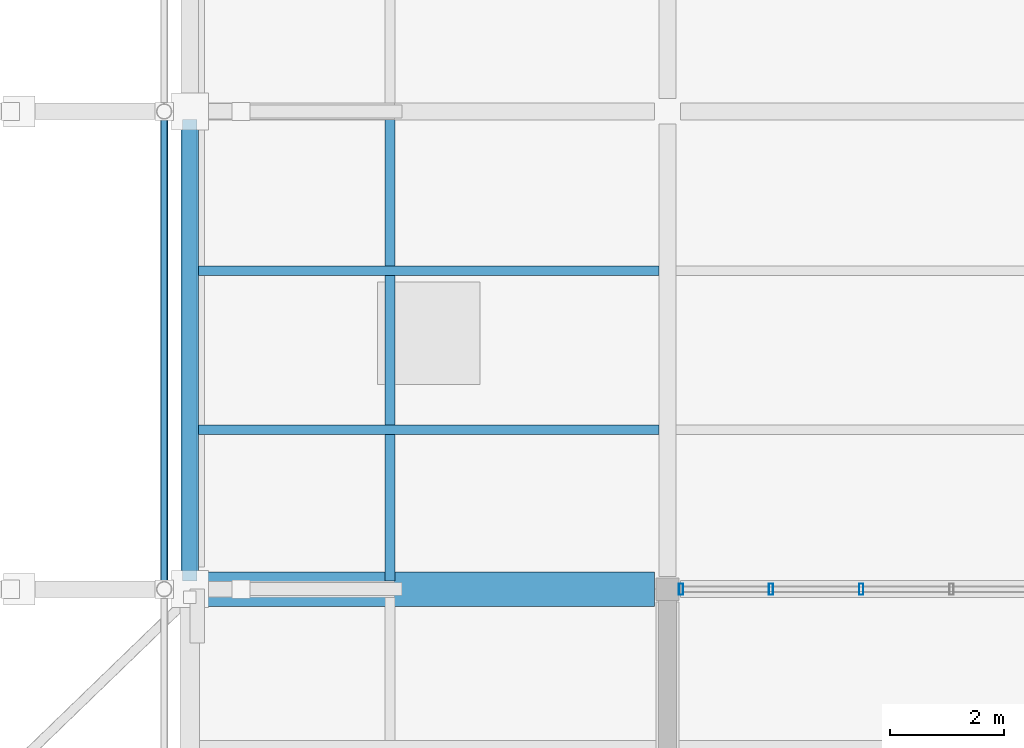
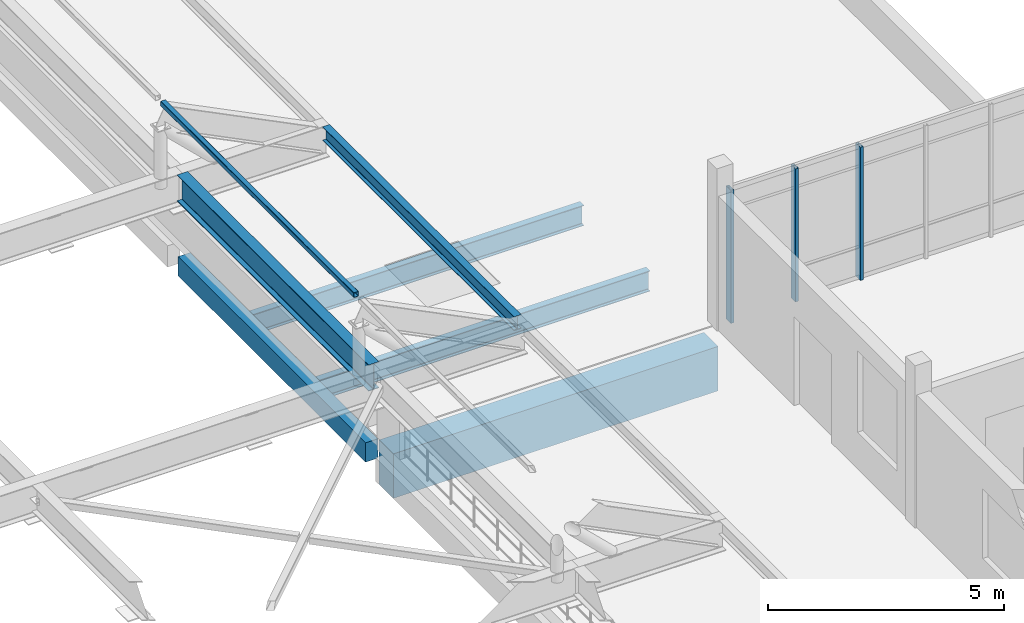
# One storey, part 18 of 41: 6 beams, 4 members, 1 element without a shape of its own.
"""IFC4 building model written with IfcOpenShell, lengths in metres."""

import ifcopenshell
import ifcopenshell.guid

model = None  # the IFC model being written
_history = None  # IfcOwnerHistory: only IFC2X3 demands one
_inside = {}  # id of a spatial element -> (the spatial element, [elements in it])
_under = {}  # id of a project, library or spatial element -> (it, [spatial elements below it])
_declared = {}  # id of a project -> (the project, [libraries it declares])
_typed = {}  # id of a type object -> (the type object, [elements of that type])
_made_of = {}  # id of a material, layer set ... -> (it, [elements and type objects made of it])


def new_model(schema):
    """Start an empty IFC model of exactly this schema.

    Asked for "IFC4X3", IfcOpenShell would pick the latest addendum, in which some entities
    have other attributes; the version numbers below select the first issue.
    IFC2X3 requires an IfcOwnerHistory on every rooted entity: one is made here for all.
    """
    global model, _history
    if schema == "IFC4X3":
        model = ifcopenshell.file(schema_version=(4, 3, 0, 0))
    else:
        model = ifcopenshell.file(schema=schema)
    _inside.clear()
    _under.clear()
    _declared.clear()
    _typed.clear()
    _made_of.clear()
    _history = None
    if model.schema == "IFC2X3":
        org = make("IfcOrganization", Name="unknown")
        user = make(
            "IfcPersonAndOrganization",
            ThePerson=make("IfcPerson", FamilyName="unknown"),
            TheOrganization=org,
        )
        app = make(
            "IfcApplication",
            ApplicationDeveloper=org,
            Version="unknown",
            ApplicationFullName="unknown",
            ApplicationIdentifier="unknown",
        )
        _history = make(
            "IfcOwnerHistory",
            OwningUser=user,
            OwningApplication=app,
            ChangeAction="ADDED",
            CreationDate=0,
        )
    return model


def make(cls, **values):
    """One entity of the class cls with the attributes given. An attribute that is None is left unset."""
    return model.create_entity(
        cls, **{name: value for name, value in values.items() if value is not None}
    )


def rooted(cls, **values):
    """An entity with a GlobalId (a new one), such as an element, a storey or a relation."""
    return make(cls, GlobalId=ifcopenshell.guid.new(), OwnerHistory=_history, **values)


def si_unit(unit_type, name, prefix=None):
    """IfcSIUnit, for example si_unit("LENGTHUNIT", "METRE", prefix="MILLI")."""
    return make("IfcSIUnit", UnitType=unit_type, Prefix=prefix, Name=name)


def assignment(units):
    """IfcUnitAssignment: the units of a project."""
    return None if units is None else make("IfcUnitAssignment", Units=units)


def point(xyz):
    """IfcCartesianPoint."""
    return None if xyz is None else make("IfcCartesianPoint", Coordinates=xyz)


def direction(xyz):
    """IfcDirection."""
    return None if xyz is None else make("IfcDirection", DirectionRatios=xyz)


def frame(location, z_axis=None, x_axis=None):
    """IfcAxis2Placement3D, a coordinate frame: its origin and axes. An axis left out is left unset."""
    return make(
        "IfcAxis2Placement3D",
        Location=point(location),
        Axis=direction(z_axis),
        RefDirection=direction(x_axis),
    )


def frame_2d(location, x_axis=None):
    """IfcAxis2Placement2D, a coordinate frame in the plane: its origin and x axis."""
    return make(
        "IfcAxis2Placement2D", Location=point(location), RefDirection=direction(x_axis)
    )


def origin():
    """The frame at (0, 0, 0) with its axes left unset."""
    return frame((0.0, 0.0, 0.0))


def origin_2d():
    """The frame at (0, 0) in the plane with its x axis left unset."""
    return frame_2d((0.0, 0.0))


def place(relative_to, where):
    """IfcLocalPlacement: puts the frame where relative to a parent placement (None: the world)."""
    return make(
        "IfcLocalPlacement", PlacementRelTo=relative_to, RelativePlacement=where
    )


def context(
    kind, dimensions, precision=None, world=None, true_north=None, identifier=None
):
    """IfcGeometricRepresentationContext, for example the 3D "Model" context."""
    return make(
        "IfcGeometricRepresentationContext",
        ContextIdentifier=identifier,
        ContextType=kind,
        CoordinateSpaceDimension=dimensions,
        Precision=precision,
        WorldCoordinateSystem=world,
        TrueNorth=true_north,
    )


def subcontext(parent, identifier, kind, view, scale=None):
    """IfcGeometricRepresentationSubContext, for example "Body" below "Model"."""
    return make(
        "IfcGeometricRepresentationSubContext",
        ContextIdentifier=identifier,
        ContextType=kind,
        ParentContext=parent,
        TargetScale=scale,
        TargetView=view,
    )


def project(units=None, contexts=None):
    """IfcProject with its units and contexts."""
    return rooted(
        "IfcProject",
        Name="project",
        RepresentationContexts=contexts,
        UnitsInContext=assignment(units),
    )


def spatial(cls, under=None, at=None, **own):
    """A site, building, storey or space (cls), placed at a placement, below another one or the project."""
    s = rooted(cls, ObjectPlacement=at, **own)
    if under is not None:
        _under.setdefault(under.id(), (under, []))[1].append(s)
    return s


def profile(cls, at=None, kind="AREA", **sizes):
    """A parametric profile (cls). Its sizes go by their IFC names, for example OverallWidth=200.0."""
    return make(cls, ProfileType=kind, Position=at, **sizes)


def rectangle(**sizes):
    """IfcRectangleProfileDef."""
    return profile("IfcRectangleProfileDef", **sizes)


def hollow_rectangle(**sizes):
    """IfcRectangleHollowProfileDef."""
    return profile("IfcRectangleHollowProfileDef", **sizes)


def i_section(**sizes):
    """IfcIShapeProfileDef."""
    return profile("IfcIShapeProfileDef", **sizes)


def extrude(swept, where, along, depth):
    """IfcExtrudedAreaSolid: the profile swept, set in the frame where, extruded along a direction by depth."""
    return make(
        "IfcExtrudedAreaSolid",
        SweptArea=swept,
        Position=where,
        ExtrudedDirection=direction(along),
        Depth=depth,
    )


def shape(context_of_items, identifier, shape_type, items):
    """IfcShapeRepresentation: the items that make up one representation, for example the "Body"."""
    return make(
        "IfcShapeRepresentation",
        ContextOfItems=context_of_items,
        RepresentationIdentifier=identifier,
        RepresentationType=shape_type,
        Items=items,
    )


def material(Name=None, Category=None):
    """IfcMaterial."""
    return make("IfcMaterial", Name=Name, Category=Category)


def layer(
    of_material, thickness, ventilated=None, Name=None, Category=None, Priority=None
):
    """IfcMaterialLayer: one layer of a wall or slab, of a material (None: an air gap)."""
    return make(
        "IfcMaterialLayer",
        Material=of_material,
        LayerThickness=thickness,
        IsVentilated=ventilated,
        Name=Name,
        Category=Category,
        Priority=Priority,
    )


def layer_set(layers, Name=None):
    """IfcMaterialLayerSet."""
    return make("IfcMaterialLayerSet", MaterialLayers=layers, LayerSetName=Name)


def material_profile(
    of_material, cross_section, Name=None, Category=None, Priority=None
):
    """IfcMaterialProfile: a cross section and its material."""
    return make(
        "IfcMaterialProfile",
        Name=Name,
        Material=of_material,
        Profile=cross_section,
        Priority=Priority,
        Category=Category,
    )


def profile_set(profiles, Name=None, composite=None):
    """IfcMaterialProfileSet."""
    return make(
        "IfcMaterialProfileSet",
        Name=Name,
        MaterialProfiles=profiles,
        CompositeProfile=composite,
    )


def made_of(thing, what):
    """Note that an element or type object is made of a material, layer set ...; save() writes the relation."""
    if what is not None:
        _made_of.setdefault(what.id(), (what, []))[1].append(thing)
    return thing


def type_object(cls, material=None, **own):
    """A type object (cls), such as IfcWallType, which elements share."""
    return made_of(rooted(cls, **own), material)


def element(
    cls,
    number,
    at=None,
    inside=None,
    cuts=None,
    type_object=None,
    material=None,
    context=None,
    identifier="Body",
    shape_type=None,
    held_by="IfcProductDefinitionShape",
    body=None,
    shapes=None,
    **own,
):
    """One element of the class cls, such as IfcWall. Its Tag is "e" and its number.

    at: its placement. inside: the storey or other place that contains it. cuts: it is an
    opening in that element (IfcRelVoidsElement). A single representation is given by context,
    identifier, shape_type and body (its items); several are given by shapes. held_by: the class
    of the entity that holds the representations. save() writes the other relations.
    """
    e = rooted(cls, Tag="e%d" % number, ObjectPlacement=at, **own)
    if body is not None:
        shapes = [shape(context, identifier, shape_type, body)]
    if shapes is not None:
        e.Representation = make(held_by, Representations=shapes)
    if inside is not None:
        _inside.setdefault(inside.id(), (inside, []))[1].append(e)
    if cuts is not None:
        rooted(
            "IfcRelVoidsElement", RelatingBuildingElement=cuts, RelatedOpeningElement=e
        )
    if type_object is not None:
        _typed.setdefault(type_object.id(), (type_object, []))[1].append(e)
    return made_of(e, material)


def aggregate(whole, parts):
    """IfcRelAggregates: a whole, such as a stair, and the parts it consists of."""
    return rooted("IfcRelAggregates", RelatingObject=whole, RelatedObjects=parts)


def save(model, path):
    """Write the relations noted so far, then the file.

    IfcRelAggregates (storeys below a building ...), IfcRelContainedInSpatialStructure (elements
    in a storey), IfcRelDefinesByType, IfcRelAssociatesMaterial and IfcRelDeclares: one each for
    every whole, place, type object, material and project.
    """
    for whole, parts in _under.values():
        aggregate(whole, parts)
    for where, things in _inside.values():
        rooted(
            "IfcRelContainedInSpatialStructure",
            RelatedElements=things,
            RelatingStructure=where,
        )
    for kind, things in _typed.values():
        rooted("IfcRelDefinesByType", RelatedObjects=things, RelatingType=kind)
    for what, things in _made_of.values():
        rooted("IfcRelAssociatesMaterial", RelatedObjects=things, RelatingMaterial=what)
    for by, libraries in _declared.values():
        rooted("IfcRelDeclares", RelatingContext=by, RelatedDefinitions=libraries)
    model.write(path)


model = new_model("IFC4")

# Units and contexts
model_context = context("Model", 3, precision=1e-05, world=origin(), true_north=direction((0.0, 1.0)))
body_context = subcontext(model_context, "Body", "Model", "MODEL_VIEW")
ifc_project = project(units=[si_unit("LENGTHUNIT", "METRE"), si_unit("AREAUNIT", "SQUARE_METRE"), si_unit("VOLUMEUNIT", "CUBIC_METRE"), si_unit("PLANEANGLEUNIT", "RADIAN"), si_unit("MASSUNIT", "GRAM", prefix="KILO")], contexts=[model_context])

# Site, building, storey
site_placement = place(None, origin())
site = spatial("IfcSite", under=ifc_project, at=site_placement, CompositionType="ELEMENT")
building_placement = place(site_placement, origin())
building = spatial("IfcBuilding", under=site, at=building_placement, Name="Vireocrest Preparatory School", CompositionType="ELEMENT")
storey_placement = place(building_placement, frame((0.0, 0.0, 21.60009765625)))
storey = spatial("IfcBuildingStorey", under=building, at=storey_placement, Name="L05", CompositionType="ELEMENT", Elevation=21.60009765625)

# Beam
ifc_material_1 = material(Name="Structural steel ASTM A992 Grade 50", Category="steel")
ifc_material_profile_1 = material_profile(ifc_material_1, i_section(OverallWidth=0.25390625, OverallDepth=0.68408203125, WebThickness=0.012451171875, FlangeThickness=0.018798828125, FilletRadius=0.01806640625, at=origin_2d()), Name="W27X94")
ifc_profile_set_1 = profile_set([ifc_material_profile_1], Name="Structural steel ASTM A992 Grade 50")
beam_type_1 = type_object("IfcBeamType", Name="Bridge Primary Steel Girder W27X94", PredefinedType="BEAM", material=ifc_profile_set_1)
beam_1_placement = place(storey_placement, frame((92.39990234375, 60.743896484375, 1.492919921875), z_axis=(0.0, 1.0, 0.0), x_axis=(-1.0, 0.0, 0.0)))
element("IfcBeam", 1, at=beam_1_placement, inside=storey, type_object=beam_type_1, Name="Canopy Longitudinal Beam EO-5", PredefinedType="BEAM", context=body_context, shape_type="SweptSolid", body=[
    extrude(i_section(OverallWidth=0.25390625, OverallDepth=0.68408203125, WebThickness=0.012451171875, FlangeThickness=0.018798828125, FilletRadius=0.01806640625, at=origin_2d()), origin(), (0.0, 0.0, 1.0), 8.112060546875),
])

# Curtain wall, members
ifc_material_2 = material(Name="Thermally broken aluminium EN AW-6063-T6", Category="aluminium")
ifc_layer = layer(ifc_material_2, 0.179931640625)
ifc_layer_set = layer_set([ifc_layer], Name="Thermally broken aluminium EN AW-6063-T6")
curtain_wall_type = type_object("IfcCurtainWallType", Name="North Street Curtain Wall 8400x4000", PredefinedType="USERDEFINED", material=ifc_layer_set)
curtain_wall_placement = place(storey_placement, origin())
curtain_wall = element("IfcCurtainWall", 2, at=curtain_wall_placement, inside=storey, type_object=curtain_wall_type, Name="Curtain Wall CW05 CW_L05_CW05_1010_0606_216", ObjectType="CURTAIN WALL", PredefinedType="USERDEFINED")
ifc_material_profile_2 = material_profile(ifc_material_2, hollow_rectangle(XDim=0.074951171875, YDim=0.199951171875, WallThickness=0.0048828125, at=origin_2d()), Name="ALU 75x200x5")
ifc_profile_set_2 = profile_set([ifc_material_profile_2], Name="Thermally broken aluminium EN AW-6063-T6")
member_type_1 = type_object("IfcMemberType", Name="CW Mullion 75x200x5", PredefinedType="MULLION", material=ifc_profile_set_2)
member_1_placement = place(storey_placement, frame((101.034912109375, 60.60009765625, 0.0), z_axis=(0.0, 0.0, 1.0), x_axis=(1.0, 0.0, 0.0)))
member_1 = element("IfcMember", 3, at=member_1_placement, type_object=member_type_1, Name="CW Mullion ML3 CW_L05_CW05_1010_0606_216-1", PredefinedType="MULLION", context=body_context, shape_type="SweptSolid", body=[
    extrude(hollow_rectangle(XDim=0.074951171875, YDim=0.199951171875, WallThickness=0.0048828125, at=origin_2d()), origin(), (0.0, 0.0, 1.0), 3.44482421875),
])
member_2_placement = place(storey_placement, frame((102.62109375, 60.60009765625, 0.0), z_axis=(0.0, 0.0, 1.0), x_axis=(1.0, 0.0, 0.0)))
member_2 = element("IfcMember", 4, at=member_2_placement, type_object=member_type_1, Name="CW Mullion ML3 CW_L05_CW05_1010_0606_216-2", PredefinedType="MULLION", context=body_context, shape_type="SweptSolid", body=[
    extrude(hollow_rectangle(XDim=0.074951171875, YDim=0.199951171875, WallThickness=0.0048828125, at=origin_2d()), origin(), (0.0, 0.0, 1.0), 3.44482421875),
])
member_3_placement = place(storey_placement, frame((104.20703125, 60.60009765625, 0.0), z_axis=(0.0, 0.0, 1.0), x_axis=(1.0, 0.0, 0.0)))
member_3 = element("IfcMember", 5, at=member_3_placement, type_object=member_type_1, Name="CW Mullion ML3 CW_L05_CW05_1010_0606_216-3", PredefinedType="MULLION", context=body_context, shape_type="SweptSolid", body=[
    extrude(hollow_rectangle(XDim=0.074951171875, YDim=0.199951171875, WallThickness=0.0048828125, at=origin_2d()), origin(), (0.0, 0.0, 1.0), 3.44482421875),
])
aggregate(curtain_wall, [member_1, member_2, member_3])

# Member
ifc_material_3 = material(Name="Painted white steel ASTM A500 Grade C", Category="steel")
ifc_material_profile_3 = material_profile(ifc_material_3, hollow_rectangle(XDim=0.126953125, YDim=0.126953125, WallThickness=0.0087890625, InnerFilletRadius=0.0087890625, OuterFilletRadius=0.017822265625, at=origin_2d()), Name="HSS5X5X3/8")
ifc_profile_set_3 = profile_set([ifc_material_profile_3], Name="Painted white steel ASTM A500 Grade C")
member_type_2 = type_object("IfcMemberType", Name="Canopy Glass Steel Purlin HSS5X5X3/8", PredefinedType="PURLIN", material=ifc_profile_set_3)
member_4_placement = place(storey_placement, frame((91.949951171875, 60.7099609375, 3.7919921875), z_axis=(0.0, 1.0, 0.0), x_axis=(-1.0, 0.0, 0.0)))
element("IfcMember", 6, at=member_4_placement, inside=storey, type_object=member_type_2, Name="Canopy Glass Purlin PR2-5-8", PredefinedType="PURLIN", context=body_context, shape_type="SweptSolid", body=[
    extrude(hollow_rectangle(XDim=0.126953125, YDim=0.126953125, WallThickness=0.0087890625, InnerFilletRadius=0.0087890625, OuterFilletRadius=0.017822265625, at=origin_2d()), origin(), (0.0, 0.0, 1.0), 8.179931640625),
])

# Beams
ifc_material_profile_4 = material_profile(ifc_material_1, i_section(OverallWidth=0.172119140625, OverallDepth=0.35791015625, WebThickness=0.0078125, FlangeThickness=0.01318359375, FilletRadius=0.012939453125, at=origin_2d()), Name="W14X38")
ifc_profile_set_4 = profile_set([ifc_material_profile_4], Name="Structural steel ASTM A992 Grade 50")
beam_type_2 = type_object("IfcBeamType", Name="Entrance Canopy Header Lintel W14X38", PredefinedType="USERDEFINED", material=ifc_profile_set_4)
beam_2_placement = place(storey_placement, frame((95.919921875, 60.743896484375, 1.656005859375), z_axis=(0.0, 1.0, 0.0), x_axis=(-1.0, 0.0, 0.0)))
element("IfcBeam", 7, at=beam_2_placement, inside=storey, type_object=beam_type_2, Name="Canopy Longitudinal Beam ETIP-5", ObjectType="LINTEL", PredefinedType="USERDEFINED", context=body_context, shape_type="SweptSolid", body=[
    extrude(i_section(OverallWidth=0.172119140625, OverallDepth=0.35791015625, WebThickness=0.0078125, FlangeThickness=0.01318359375, FilletRadius=0.012939453125, at=origin_2d()), origin(), (0.0, 0.0, 1.0), 8.112060546875),
])
ifc_material_profile_5 = material_profile(ifc_material_1, i_section(OverallWidth=0.166015625, OverallDepth=0.529052734375, WebThickness=0.009765625, FlangeThickness=0.013671875, FilletRadius=0.014892578125, at=origin_2d()), Name="W21X50")
ifc_profile_set_5 = profile_set([ifc_material_profile_5], Name="Structural steel ASTM A992 Grade 50")
beam_type_3 = type_object("IfcBeamType", Name="Pavilion Roof Joist W21X50", PredefinedType="JOIST", material=ifc_profile_set_5)
for number, where, z_axis, x_axis, name in (
    (8, (92.550048828125, 63.39990234375, -0.484619140625), (1.0, 0.0, 0.0), (0.0, 1.0, 0.0), "Secondary Joist SJ1 L05-1669"),
    (9, (92.550048828125, 66.199951171875, -0.484619140625), (1.0, 0.0, 0.0), (0.0, 1.0, 0.0), "Secondary Joist SJ1 L05-1670"),
):
    element("IfcBeam", number, at=place(storey_placement, frame(where, z_axis=z_axis, x_axis=x_axis)), inside=storey, type_object=beam_type_3, Name=name, PredefinedType="JOIST", context=body_context, shape_type="SweptSolid", body=[
        extrude(i_section(OverallWidth=0.166015625, OverallDepth=0.529052734375, WebThickness=0.009765625, FlangeThickness=0.013671875, FilletRadius=0.014892578125, at=origin_2d()), origin(), (0.0, 0.0, 1.0), 8.099853515625),
    ])
ifc_material_4 = material(Name="Concrete 40 MPa", Category="concrete")
ifc_material_profile_6 = material_profile(ifc_material_4, rectangle(XDim=0.60009765625, YDim=1.14990234375, at=origin_2d()), Name="RC 600x1150")
ifc_profile_set_6 = profile_set([ifc_material_profile_6], Name="Concrete 40 MPa")
beam_type_4 = type_object("IfcBeamType", Name="RC Heavy Transfer Girder 600x1150", PredefinedType="BEAM", material=ifc_profile_set_6)
beam_3_placement = place(storey_placement, frame((92.625, 60.60009765625, -0.89501953125), z_axis=(1.0, 0.0, 0.0), x_axis=(0.0, 1.0, 0.0)))
element("IfcBeam", 10, at=beam_3_placement, inside=storey, type_object=beam_type_4, Name="Primary Girder B20 L05-1530", PredefinedType="BEAM", context=body_context, shape_type="SweptSolid", body=[
    extrude(rectangle(XDim=0.60009765625, YDim=1.14990234375, at=origin_2d()), origin(), (0.0, 0.0, 1.0), 7.949951171875),
])
ifc_material_profile_7 = material_profile(ifc_material_4, rectangle(XDim=0.300048828125, YDim=0.5, at=origin_2d()), Name="RC 300x500")
ifc_profile_set_7 = profile_set([ifc_material_profile_7], Name="Concrete 40 MPa")
beam_type_5 = type_object("IfcBeamType", Name="RC Roof Edge Beam 300x500", PredefinedType="BEAM", material=ifc_profile_set_7)
beam_4_placement = place(storey_placement, frame((92.39990234375, 60.824951171875, -0.47021484375), z_axis=(0.0, 1.0, 0.0), x_axis=(-1.0, 0.0, 0.0)))
element("IfcBeam", 11, at=beam_4_placement, inside=storey, type_object=beam_type_5, Name="Primary Girder B01 L05-1600", PredefinedType="BEAM", context=body_context, shape_type="SweptSolid", body=[
    extrude(rectangle(XDim=0.300048828125, YDim=0.5, at=origin_2d()), origin(), (0.0, 0.0, 1.0), 7.949951171875),
])

save(model, "model.ifc")
